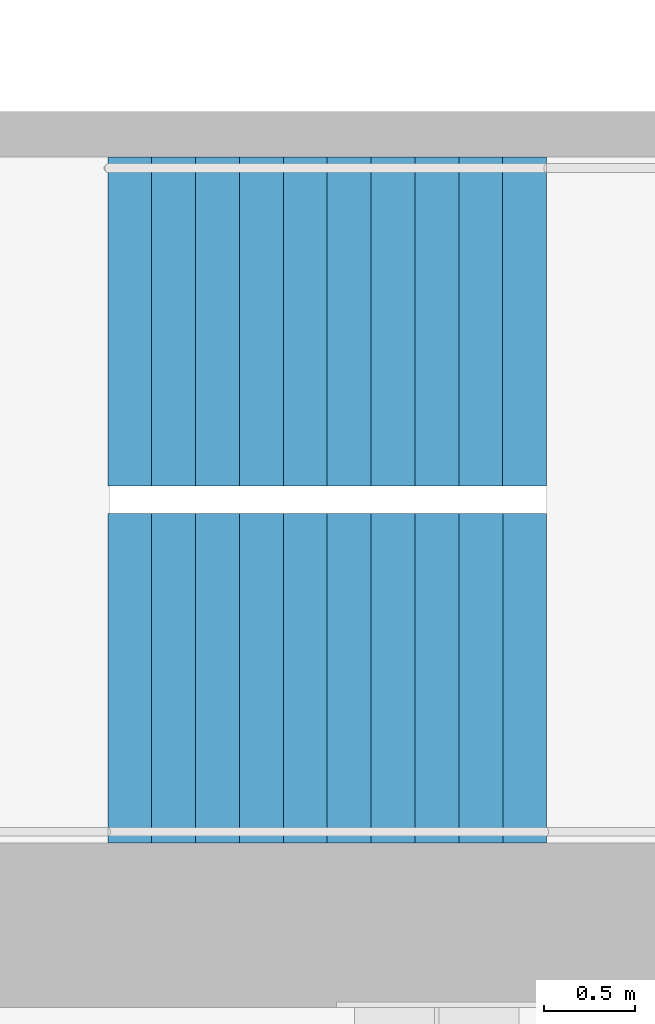
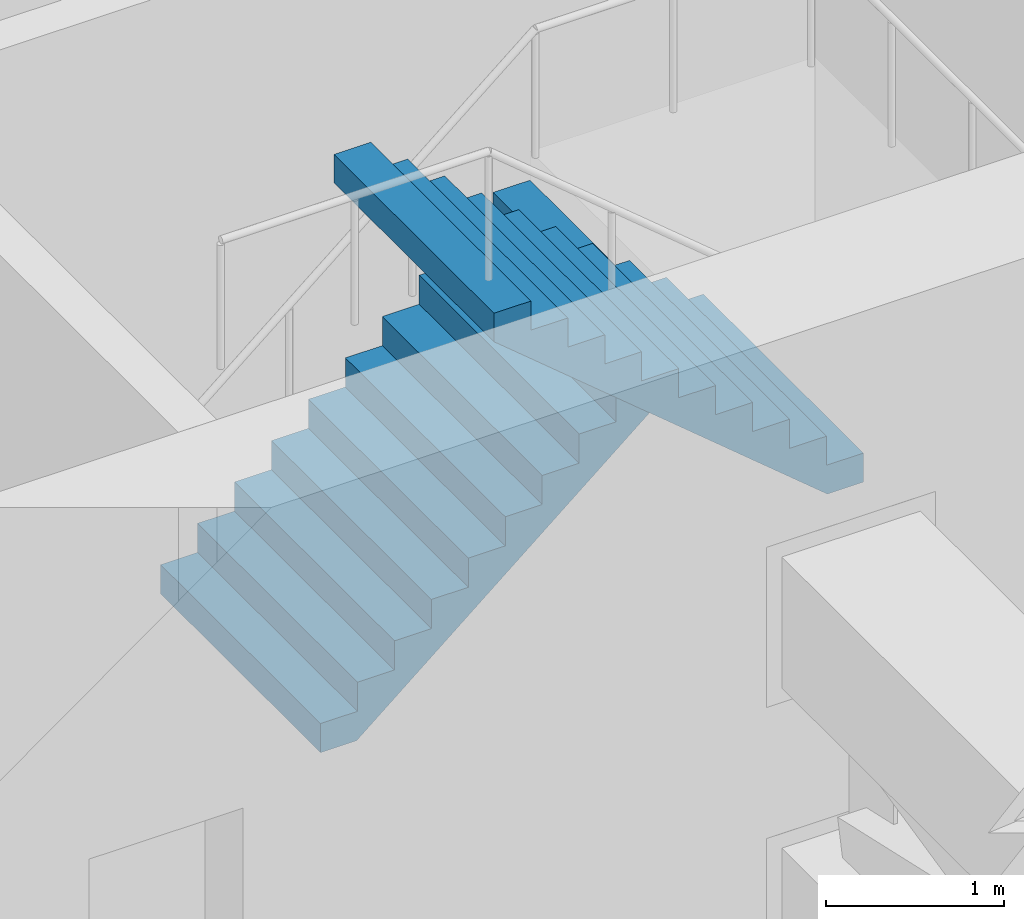
# One storey, part 30 of 33: 2 stair flights, 1 element without a shape of its own.
"""IFC4 building model written with IfcOpenShell, lengths in metres."""

from ifc_helpers import new_model, si_unit, direction, frame, origin, place, context, subcontext, project, spatial, triangles, material, type_object, element, aggregate, save


model = new_model("IFC4")

# Units and contexts
model_context = context("Model", 3, precision=1e-05, world=origin(), true_north=direction((0.0, 1.0)))
body_context = subcontext(model_context, "Body", "Model", "MODEL_VIEW")
ifc_project = project(units=[si_unit("LENGTHUNIT", "METRE"), si_unit("AREAUNIT", "SQUARE_METRE"), si_unit("VOLUMEUNIT", "CUBIC_METRE"), si_unit("PLANEANGLEUNIT", "RADIAN"), si_unit("MASSUNIT", "GRAM", prefix="KILO")], contexts=[model_context])

# Site, building, storey
site_placement = place(None, origin())
site = spatial("IfcSite", under=ifc_project, at=site_placement, CompositionType="ELEMENT")
building_placement = place(site_placement, origin())
building = spatial("IfcBuilding", under=site, at=building_placement, Name="Hakoniwa Tower and Hamabe Station Hall", CompositionType="ELEMENT")
storey_placement = place(building_placement, frame((0.0, 0.0, 228.199951171875)))
storey = spatial("IfcBuildingStorey", under=building, at=storey_placement, Name="L65", CompositionType="ELEMENT", Elevation=228.199951171875)

# Stair, stair flights
ifc_material_1 = material(Name="Concrete C40", Category="concrete")
stair_type = type_object("IfcStairType", Name="ESCAPE STAIR 1800", PredefinedType="HALF_TURN_STAIR", material=ifc_material_1)
stair_placement = place(storey_placement, origin())
stair = element("IfcStair", 1, at=stair_placement, inside=storey, type_object=stair_type, Name="Escape stair ST-4 L65", PredefinedType="HALF_TURN_STAIR")
ifc_material_2 = material(Name="Concrete C40", Category="concrete")
stair_flight_type = type_object("IfcStairFlightType", Name="STAIR FLIGHT 1800", PredefinedType="STRAIGHT", material=ifc_material_2)
stair_flight_1_placement = place(storey_placement, frame((23.39990234375, -4.64990234375, 0.0), z_axis=(0.0, 0.0, 1.0), x_axis=(1.0, 0.0, 0.0)))
stair_flight_1 = element("IfcStairFlight", 2, at=stair_flight_1_placement, type_object=stair_flight_type, Name="ST-4 flight 1", NumberOfRisers=11, NumberOfTreads=10, PredefinedType="STRAIGHT", RiserHeight=0.2, TreadLength=0.24, context=body_context, shape_type="Tessellation", body=[
    triangles([(0.0, 0.89990234375, 0.0), (0.234130859375, 0.89990234375, 0.0), (0.239990234375, 0.89990234375, 0.0048828125), (0.47998046875, 0.89990234375, 0.204833984375), (0.719970703125, 0.89990234375, 0.40478515625), (0.9599609375, 0.89990234375, 0.60498046875), (1.199951171875, 0.89990234375, 0.804931640625), (1.43994140625, 0.89990234375, 1.0048828125), (1.679931640625, 0.89990234375, 1.204833984375), (1.919921875, 0.89990234375, 1.40478515625), (2.159912109375, 0.89990234375, 1.60498046875), (2.39990234375, 0.89990234375, 1.804931640625), (2.39990234375, 0.89990234375, 2.0), (2.159912109375, 0.89990234375, 2.0), (2.159912109375, 0.89990234375, 1.800048828125), (1.919921875, 0.89990234375, 1.800048828125), (1.919921875, 0.89990234375, 1.60009765625), (1.679931640625, 0.89990234375, 1.60009765625), (1.679931640625, 0.89990234375, 1.39990234375), (1.43994140625, 0.89990234375, 1.39990234375), (1.43994140625, 0.89990234375, 1.199951171875), (1.199951171875, 0.89990234375, 1.199951171875), (1.199951171875, 0.89990234375, 1.0), (0.9599609375, 0.89990234375, 1.0), (0.9599609375, 0.89990234375, 0.800048828125), (0.719970703125, 0.89990234375, 0.800048828125), (0.719970703125, 0.89990234375, 0.60009765625), (0.47998046875, 0.89990234375, 0.60009765625), (0.47998046875, 0.89990234375, 0.39990234375), (0.239990234375, 0.89990234375, 0.39990234375), (0.239990234375, 0.89990234375, 0.199951171875), (0.234130859375, 0.89990234375, 0.199951171875), (0.0, 0.89990234375, 0.199951171875), (0.0, 0.06005859375, 0.0), (0.234130859375, 0.06005859375, 0.0), (0.239990234375, 0.06005859375, 0.0048828125), (0.47998046875, 0.06005859375, 0.204833984375), (0.719970703125, 0.06005859375, 0.40478515625), (0.9599609375, 0.06005859375, 0.60498046875), (1.199951171875, 0.06005859375, 0.804931640625), (1.43994140625, 0.06005859375, 1.0048828125), (1.679931640625, 0.06005859375, 1.204833984375), (1.919921875, 0.06005859375, 1.40478515625), (2.159912109375, 0.06005859375, 1.60498046875), (2.39990234375, 0.06005859375, 1.804931640625), (2.39990234375, 0.06005859375, 2.0), (2.159912109375, 0.06005859375, 2.0), (2.159912109375, 0.06005859375, 1.800048828125), (1.919921875, 0.06005859375, 1.800048828125), (1.919921875, 0.06005859375, 1.60009765625), (1.679931640625, 0.06005859375, 1.60009765625), (1.679931640625, 0.06005859375, 1.39990234375), (1.43994140625, 0.06005859375, 1.39990234375), (1.43994140625, 0.06005859375, 1.199951171875), (1.199951171875, 0.06005859375, 1.199951171875), (1.199951171875, 0.06005859375, 1.0), (0.9599609375, 0.06005859375, 1.0), (0.9599609375, 0.06005859375, 0.800048828125), (0.719970703125, 0.06005859375, 0.800048828125), (0.719970703125, 0.06005859375, 0.60009765625), (0.47998046875, 0.06005859375, 0.60009765625), (0.47998046875, 0.06005859375, 0.39990234375), (0.239990234375, 0.06005859375, 0.39990234375), (0.239990234375, 0.06005859375, 0.199951171875), (0.234130859375, 0.06005859375, 0.199951171875), (0.0, 0.06005859375, 0.199951171875), (0.0, 0.02001953125, 0.0), (0.234130859375, 0.02001953125, 0.0), (0.239990234375, 0.02001953125, 0.0048828125), (0.47998046875, 0.02001953125, 0.204833984375), (0.719970703125, 0.02001953125, 0.40478515625), (0.9599609375, 0.02001953125, 0.60498046875), (1.199951171875, 0.02001953125, 0.804931640625), (1.43994140625, 0.02001953125, 1.0048828125), (1.679931640625, 0.02001953125, 1.204833984375), (1.919921875, 0.02001953125, 1.40478515625), (2.159912109375, 0.02001953125, 1.60498046875), (2.39990234375, 0.02001953125, 1.804931640625), (2.39990234375, 0.02001953125, 2.0), (2.159912109375, 0.02001953125, 2.0), (2.159912109375, 0.02001953125, 1.800048828125), (1.919921875, 0.02001953125, 1.800048828125), (1.919921875, 0.02001953125, 1.60009765625), (1.679931640625, 0.02001953125, 1.60009765625), (1.679931640625, 0.02001953125, 1.39990234375), (1.43994140625, 0.02001953125, 1.39990234375), (1.43994140625, 0.02001953125, 1.199951171875), (1.199951171875, 0.02001953125, 1.199951171875), (1.199951171875, 0.02001953125, 1.0), (0.9599609375, 0.02001953125, 1.0), (0.9599609375, 0.02001953125, 0.800048828125), (0.719970703125, 0.02001953125, 0.800048828125), (0.719970703125, 0.02001953125, 0.60009765625), (0.47998046875, 0.02001953125, 0.60009765625), (0.47998046875, 0.02001953125, 0.39990234375), (0.239990234375, 0.02001953125, 0.39990234375), (0.239990234375, 0.02001953125, 0.199951171875), (0.234130859375, 0.02001953125, 0.199951171875), (0.0, 0.02001953125, 0.199951171875), (0.0, -0.02001953125, 0.0), (0.234130859375, -0.02001953125, 0.0), (0.239990234375, -0.02001953125, 0.0048828125), (0.47998046875, -0.02001953125, 0.204833984375), (0.719970703125, -0.02001953125, 0.40478515625), (0.9599609375, -0.02001953125, 0.60498046875), (1.199951171875, -0.02001953125, 0.804931640625), (1.43994140625, -0.02001953125, 1.0048828125), (1.679931640625, -0.02001953125, 1.204833984375), (1.919921875, -0.02001953125, 1.40478515625), (2.159912109375, -0.02001953125, 1.60498046875), (2.39990234375, -0.02001953125, 1.804931640625), (2.39990234375, -0.02001953125, 2.0), (2.159912109375, -0.02001953125, 2.0), (2.159912109375, -0.02001953125, 1.800048828125), (1.919921875, -0.02001953125, 1.800048828125), (1.919921875, -0.02001953125, 1.60009765625), (1.679931640625, -0.02001953125, 1.60009765625), (1.679931640625, -0.02001953125, 1.39990234375), (1.43994140625, -0.02001953125, 1.39990234375), (1.43994140625, -0.02001953125, 1.199951171875), (1.199951171875, -0.02001953125, 1.199951171875), (1.199951171875, -0.02001953125, 1.0), (0.9599609375, -0.02001953125, 1.0), (0.9599609375, -0.02001953125, 0.800048828125), (0.719970703125, -0.02001953125, 0.800048828125), (0.719970703125, -0.02001953125, 0.60009765625), (0.47998046875, -0.02001953125, 0.60009765625), (0.47998046875, -0.02001953125, 0.39990234375), (0.239990234375, -0.02001953125, 0.39990234375), (0.239990234375, -0.02001953125, 0.199951171875), (0.234130859375, -0.02001953125, 0.199951171875), (0.0, -0.02001953125, 0.199951171875), (0.0, -0.06005859375, 0.0), (0.234130859375, -0.06005859375, 0.0), (0.239990234375, -0.06005859375, 0.0048828125), (0.47998046875, -0.06005859375, 0.204833984375), (0.719970703125, -0.06005859375, 0.40478515625), (0.9599609375, -0.06005859375, 0.60498046875), (1.199951171875, -0.06005859375, 0.804931640625), (1.43994140625, -0.06005859375, 1.0048828125), (1.679931640625, -0.06005859375, 1.204833984375), (1.919921875, -0.06005859375, 1.40478515625), (2.159912109375, -0.06005859375, 1.60498046875), (2.39990234375, -0.06005859375, 1.804931640625), (2.39990234375, -0.06005859375, 2.0), (2.159912109375, -0.06005859375, 2.0), (2.159912109375, -0.06005859375, 1.800048828125), (1.919921875, -0.06005859375, 1.800048828125), (1.919921875, -0.06005859375, 1.60009765625), (1.679931640625, -0.06005859375, 1.60009765625), (1.679931640625, -0.06005859375, 1.39990234375), (1.43994140625, -0.06005859375, 1.39990234375), (1.43994140625, -0.06005859375, 1.199951171875), (1.199951171875, -0.06005859375, 1.199951171875), (1.199951171875, -0.06005859375, 1.0), (0.9599609375, -0.06005859375, 1.0), (0.9599609375, -0.06005859375, 0.800048828125), (0.719970703125, -0.06005859375, 0.800048828125), (0.719970703125, -0.06005859375, 0.60009765625), (0.47998046875, -0.06005859375, 0.60009765625), (0.47998046875, -0.06005859375, 0.39990234375), (0.239990234375, -0.06005859375, 0.39990234375), (0.239990234375, -0.06005859375, 0.199951171875), (0.234130859375, -0.06005859375, 0.199951171875), (0.0, -0.06005859375, 0.199951171875), (0.0, -0.89990234375, 0.0), (0.234130859375, -0.89990234375, 0.0), (0.239990234375, -0.89990234375, 0.0048828125), (0.47998046875, -0.89990234375, 0.204833984375), (0.719970703125, -0.89990234375, 0.40478515625), (0.9599609375, -0.89990234375, 0.60498046875), (1.199951171875, -0.89990234375, 0.804931640625), (1.43994140625, -0.89990234375, 1.0048828125), (1.679931640625, -0.89990234375, 1.204833984375), (1.919921875, -0.89990234375, 1.40478515625), (2.159912109375, -0.89990234375, 1.60498046875), (2.39990234375, -0.89990234375, 1.804931640625), (2.39990234375, -0.89990234375, 2.0), (2.159912109375, -0.89990234375, 2.0), (2.159912109375, -0.89990234375, 1.800048828125), (1.919921875, -0.89990234375, 1.800048828125), (1.919921875, -0.89990234375, 1.60009765625), (1.679931640625, -0.89990234375, 1.60009765625), (1.679931640625, -0.89990234375, 1.39990234375), (1.43994140625, -0.89990234375, 1.39990234375), (1.43994140625, -0.89990234375, 1.199951171875), (1.199951171875, -0.89990234375, 1.199951171875), (1.199951171875, -0.89990234375, 1.0), (0.9599609375, -0.89990234375, 1.0), (0.9599609375, -0.89990234375, 0.800048828125), (0.719970703125, -0.89990234375, 0.800048828125), (0.719970703125, -0.89990234375, 0.60009765625), (0.47998046875, -0.89990234375, 0.60009765625), (0.47998046875, -0.89990234375, 0.39990234375), (0.239990234375, -0.89990234375, 0.39990234375), (0.239990234375, -0.89990234375, 0.199951171875), (0.234130859375, -0.89990234375, 0.199951171875), (0.0, -0.89990234375, 0.199951171875)], [[2, 33, 32], [167, 197, 198], [2, 1, 33], [167, 198, 166], [3, 32, 31], [168, 196, 197], [3, 2, 32], [168, 197, 167], [4, 30, 29], [169, 194, 195], [4, 31, 30], [169, 195, 196], [4, 3, 31], [169, 196, 168], [5, 28, 27], [170, 192, 193], [5, 29, 28], [170, 193, 194], [5, 4, 29], [170, 194, 169], [6, 26, 25], [171, 190, 191], [6, 27, 26], [171, 191, 192], [6, 5, 27], [171, 192, 170], [7, 24, 23], [172, 188, 189], [7, 25, 24], [172, 189, 190], [7, 6, 25], [172, 190, 171], [8, 22, 21], [173, 186, 187], [8, 23, 22], [173, 187, 188], [8, 7, 23], [173, 188, 172], [9, 20, 19], [174, 184, 185], [9, 21, 20], [174, 185, 186], [9, 8, 21], [174, 186, 173], [10, 18, 17], [175, 182, 183], [10, 19, 18], [175, 183, 184], [10, 9, 19], [175, 184, 174], [11, 16, 15], [176, 180, 181], [11, 17, 16], [176, 181, 182], [11, 10, 17], [176, 182, 175], [12, 14, 13], [177, 178, 179], [12, 15, 14], [177, 179, 180], [12, 11, 15], [177, 180, 176], [1, 2, 35], [1, 35, 34], [34, 35, 68], [34, 68, 67], [67, 68, 101], [67, 101, 100], [100, 101, 134], [100, 134, 133], [133, 134, 167], [133, 167, 166], [2, 3, 36], [2, 36, 35], [35, 36, 69], [35, 69, 68], [68, 69, 102], [68, 102, 101], [101, 102, 135], [101, 135, 134], [134, 135, 168], [134, 168, 167], [3, 4, 37], [3, 37, 36], [36, 37, 70], [36, 70, 69], [69, 70, 103], [69, 103, 102], [102, 103, 136], [102, 136, 135], [135, 136, 169], [135, 169, 168], [4, 5, 38], [4, 38, 37], [37, 38, 71], [37, 71, 70], [70, 71, 104], [70, 104, 103], [103, 104, 137], [103, 137, 136], [136, 137, 170], [136, 170, 169], [5, 6, 39], [5, 39, 38], [38, 39, 72], [38, 72, 71], [71, 72, 105], [71, 105, 104], [104, 105, 138], [104, 138, 137], [137, 138, 171], [137, 171, 170], [6, 7, 40], [6, 40, 39], [39, 40, 73], [39, 73, 72], [72, 73, 106], [72, 106, 105], [105, 106, 139], [105, 139, 138], [138, 139, 172], [138, 172, 171], [7, 8, 41], [7, 41, 40], [40, 41, 74], [40, 74, 73], [73, 74, 107], [73, 107, 106], [106, 107, 140], [106, 140, 139], [139, 140, 173], [139, 173, 172], [8, 9, 42], [8, 42, 41], [41, 42, 75], [41, 75, 74], [74, 75, 108], [74, 108, 107], [107, 108, 141], [107, 141, 140], [140, 141, 174], [140, 174, 173], [9, 10, 43], [9, 43, 42], [42, 43, 76], [42, 76, 75], [75, 76, 109], [75, 109, 108], [108, 109, 142], [108, 142, 141], [141, 142, 175], [141, 175, 174], [10, 11, 44], [10, 44, 43], [43, 44, 77], [43, 77, 76], [76, 77, 110], [76, 110, 109], [109, 110, 143], [109, 143, 142], [142, 143, 176], [142, 176, 175], [11, 12, 45], [11, 45, 44], [44, 45, 78], [44, 78, 77], [77, 78, 111], [77, 111, 110], [110, 111, 144], [110, 144, 143], [143, 144, 177], [143, 177, 176], [12, 13, 46], [12, 46, 45], [45, 46, 79], [45, 79, 78], [78, 79, 112], [78, 112, 111], [111, 112, 145], [111, 145, 144], [144, 145, 178], [144, 178, 177], [13, 14, 47], [13, 47, 46], [46, 47, 80], [46, 80, 79], [79, 80, 113], [79, 113, 112], [112, 113, 146], [112, 146, 145], [145, 146, 179], [145, 179, 178], [14, 15, 48], [14, 48, 47], [47, 48, 81], [47, 81, 80], [80, 81, 114], [80, 114, 113], [113, 114, 147], [113, 147, 146], [146, 147, 180], [146, 180, 179], [15, 16, 49], [15, 49, 48], [48, 49, 82], [48, 82, 81], [81, 82, 115], [81, 115, 114], [114, 115, 148], [114, 148, 147], [147, 148, 181], [147, 181, 180], [16, 17, 50], [16, 50, 49], [49, 50, 83], [49, 83, 82], [82, 83, 116], [82, 116, 115], [115, 116, 149], [115, 149, 148], [148, 149, 182], [148, 182, 181], [17, 18, 51], [17, 51, 50], [50, 51, 84], [50, 84, 83], [83, 84, 117], [83, 117, 116], [116, 117, 150], [116, 150, 149], [149, 150, 183], [149, 183, 182], [18, 19, 52], [18, 52, 51], [51, 52, 85], [51, 85, 84], [84, 85, 118], [84, 118, 117], [117, 118, 151], [117, 151, 150], [150, 151, 184], [150, 184, 183], [19, 20, 53], [19, 53, 52], [52, 53, 86], [52, 86, 85], [85, 86, 119], [85, 119, 118], [118, 119, 152], [118, 152, 151], [151, 152, 185], [151, 185, 184], [20, 21, 54], [20, 54, 53], [53, 54, 87], [53, 87, 86], [86, 87, 120], [86, 120, 119], [119, 120, 153], [119, 153, 152], [152, 153, 186], [152, 186, 185], [21, 22, 55], [21, 55, 54], [54, 55, 88], [54, 88, 87], [87, 88, 121], [87, 121, 120], [120, 121, 154], [120, 154, 153], [153, 154, 187], [153, 187, 186], [22, 23, 56], [22, 56, 55], [55, 56, 89], [55, 89, 88], [88, 89, 122], [88, 122, 121], [121, 122, 155], [121, 155, 154], [154, 155, 188], [154, 188, 187], [23, 24, 57], [23, 57, 56], [56, 57, 90], [56, 90, 89], [89, 90, 123], [89, 123, 122], [122, 123, 156], [122, 156, 155], [155, 156, 189], [155, 189, 188], [24, 25, 58], [24, 58, 57], [57, 58, 91], [57, 91, 90], [90, 91, 124], [90, 124, 123], [123, 124, 157], [123, 157, 156], [156, 157, 190], [156, 190, 189], [25, 26, 59], [25, 59, 58], [58, 59, 92], [58, 92, 91], [91, 92, 125], [91, 125, 124], [124, 125, 158], [124, 158, 157], [157, 158, 191], [157, 191, 190], [26, 27, 60], [26, 60, 59], [59, 60, 93], [59, 93, 92], [92, 93, 126], [92, 126, 125], [125, 126, 159], [125, 159, 158], [158, 159, 192], [158, 192, 191], [27, 28, 61], [27, 61, 60], [60, 61, 94], [60, 94, 93], [93, 94, 127], [93, 127, 126], [126, 127, 160], [126, 160, 159], [159, 160, 193], [159, 193, 192], [28, 29, 62], [28, 62, 61], [61, 62, 95], [61, 95, 94], [94, 95, 128], [94, 128, 127], [127, 128, 161], [127, 161, 160], [160, 161, 194], [160, 194, 193], [29, 30, 63], [29, 63, 62], [62, 63, 96], [62, 96, 95], [95, 96, 129], [95, 129, 128], [128, 129, 162], [128, 162, 161], [161, 162, 195], [161, 195, 194], [30, 31, 64], [30, 64, 63], [63, 64, 97], [63, 97, 96], [96, 97, 130], [96, 130, 129], [129, 130, 163], [129, 163, 162], [162, 163, 196], [162, 196, 195], [31, 32, 65], [31, 65, 64], [64, 65, 98], [64, 98, 97], [97, 98, 131], [97, 131, 130], [130, 131, 164], [130, 164, 163], [163, 164, 197], [163, 197, 196], [32, 33, 66], [32, 66, 65], [65, 66, 99], [65, 99, 98], [98, 99, 132], [98, 132, 131], [131, 132, 165], [131, 165, 164], [164, 165, 198], [164, 198, 197], [33, 1, 34], [33, 34, 66], [66, 34, 67], [66, 67, 99], [99, 67, 100], [99, 100, 132], [132, 100, 133], [132, 133, 165], [165, 133, 166], [165, 166, 198]], closed=True),
])
stair_flight_2_placement = place(storey_placement, frame((25.800048828125, -6.60009765625, 2.199951171875), z_axis=(0.0, 0.0, 1.0), x_axis=(-1.0, 0.0, 0.0)))
stair_flight_2 = element("IfcStairFlight", 3, at=stair_flight_2_placement, type_object=stair_flight_type, Name="ST-4 flight 2", NumberOfRisers=11, NumberOfTreads=10, PredefinedType="STRAIGHT", RiserHeight=0.2, TreadLength=0.24, context=body_context, shape_type="Tessellation", body=[
    triangles([(0.0, 0.89990234375, 0.0), (0.234130859375, 0.89990234375, 0.0), (0.239990234375, 0.89990234375, 0.0048828125), (0.47998046875, 0.89990234375, 0.204833984375), (0.719970703125, 0.89990234375, 0.40478515625), (0.9599609375, 0.89990234375, 0.60498046875), (1.199951171875, 0.89990234375, 0.804931640625), (1.43994140625, 0.89990234375, 1.0048828125), (1.679931640625, 0.89990234375, 1.204833984375), (1.919921875, 0.89990234375, 1.40478515625), (2.159912109375, 0.89990234375, 1.60498046875), (2.39990234375, 0.89990234375, 1.804931640625), (2.39990234375, 0.89990234375, 2.0), (2.159912109375, 0.89990234375, 2.0), (2.159912109375, 0.89990234375, 1.800048828125), (1.919921875, 0.89990234375, 1.800048828125), (1.919921875, 0.89990234375, 1.60009765625), (1.679931640625, 0.89990234375, 1.60009765625), (1.679931640625, 0.89990234375, 1.39990234375), (1.43994140625, 0.89990234375, 1.39990234375), (1.43994140625, 0.89990234375, 1.199951171875), (1.199951171875, 0.89990234375, 1.199951171875), (1.199951171875, 0.89990234375, 1.0), (0.9599609375, 0.89990234375, 1.0), (0.9599609375, 0.89990234375, 0.800048828125), (0.719970703125, 0.89990234375, 0.800048828125), (0.719970703125, 0.89990234375, 0.60009765625), (0.47998046875, 0.89990234375, 0.60009765625), (0.47998046875, 0.89990234375, 0.39990234375), (0.239990234375, 0.89990234375, 0.39990234375), (0.239990234375, 0.89990234375, 0.199951171875), (0.234130859375, 0.89990234375, 0.199951171875), (0.0, 0.89990234375, 0.199951171875), (0.0, 0.06005859375, 0.0), (0.234130859375, 0.06005859375, 0.0), (0.239990234375, 0.06005859375, 0.0048828125), (0.47998046875, 0.06005859375, 0.204833984375), (0.719970703125, 0.06005859375, 0.40478515625), (0.9599609375, 0.06005859375, 0.60498046875), (1.199951171875, 0.06005859375, 0.804931640625), (1.43994140625, 0.06005859375, 1.0048828125), (1.679931640625, 0.06005859375, 1.204833984375), (1.919921875, 0.06005859375, 1.40478515625), (2.159912109375, 0.06005859375, 1.60498046875), (2.39990234375, 0.06005859375, 1.804931640625), (2.39990234375, 0.06005859375, 2.0), (2.159912109375, 0.06005859375, 2.0), (2.159912109375, 0.06005859375, 1.800048828125), (1.919921875, 0.06005859375, 1.800048828125), (1.919921875, 0.06005859375, 1.60009765625), (1.679931640625, 0.06005859375, 1.60009765625), (1.679931640625, 0.06005859375, 1.39990234375), (1.43994140625, 0.06005859375, 1.39990234375), (1.43994140625, 0.06005859375, 1.199951171875), (1.199951171875, 0.06005859375, 1.199951171875), (1.199951171875, 0.06005859375, 1.0), (0.9599609375, 0.06005859375, 1.0), (0.9599609375, 0.06005859375, 0.800048828125), (0.719970703125, 0.06005859375, 0.800048828125), (0.719970703125, 0.06005859375, 0.60009765625), (0.47998046875, 0.06005859375, 0.60009765625), (0.47998046875, 0.06005859375, 0.39990234375), (0.239990234375, 0.06005859375, 0.39990234375), (0.239990234375, 0.06005859375, 0.199951171875), (0.234130859375, 0.06005859375, 0.199951171875), (0.0, 0.06005859375, 0.199951171875), (0.0, 0.02001953125, 0.0), (0.234130859375, 0.02001953125, 0.0), (0.239990234375, 0.02001953125, 0.0048828125), (0.47998046875, 0.02001953125, 0.204833984375), (0.719970703125, 0.02001953125, 0.40478515625), (0.9599609375, 0.02001953125, 0.60498046875), (1.199951171875, 0.02001953125, 0.804931640625), (1.43994140625, 0.02001953125, 1.0048828125), (1.679931640625, 0.02001953125, 1.204833984375), (1.919921875, 0.02001953125, 1.40478515625), (2.159912109375, 0.02001953125, 1.60498046875), (2.39990234375, 0.02001953125, 1.804931640625), (2.39990234375, 0.02001953125, 2.0), (2.159912109375, 0.02001953125, 2.0), (2.159912109375, 0.02001953125, 1.800048828125), (1.919921875, 0.02001953125, 1.800048828125), (1.919921875, 0.02001953125, 1.60009765625), (1.679931640625, 0.02001953125, 1.60009765625), (1.679931640625, 0.02001953125, 1.39990234375), (1.43994140625, 0.02001953125, 1.39990234375), (1.43994140625, 0.02001953125, 1.199951171875), (1.199951171875, 0.02001953125, 1.199951171875), (1.199951171875, 0.02001953125, 1.0), (0.9599609375, 0.02001953125, 1.0), (0.9599609375, 0.02001953125, 0.800048828125), (0.719970703125, 0.02001953125, 0.800048828125), (0.719970703125, 0.02001953125, 0.60009765625), (0.47998046875, 0.02001953125, 0.60009765625), (0.47998046875, 0.02001953125, 0.39990234375), (0.239990234375, 0.02001953125, 0.39990234375), (0.239990234375, 0.02001953125, 0.199951171875), (0.234130859375, 0.02001953125, 0.199951171875), (0.0, 0.02001953125, 0.199951171875), (0.0, -0.02001953125, 0.0), (0.234130859375, -0.02001953125, 0.0), (0.239990234375, -0.02001953125, 0.0048828125), (0.47998046875, -0.02001953125, 0.204833984375), (0.719970703125, -0.02001953125, 0.40478515625), (0.9599609375, -0.02001953125, 0.60498046875), (1.199951171875, -0.02001953125, 0.804931640625), (1.43994140625, -0.02001953125, 1.0048828125), (1.679931640625, -0.02001953125, 1.204833984375), (1.919921875, -0.02001953125, 1.40478515625), (2.159912109375, -0.02001953125, 1.60498046875), (2.39990234375, -0.02001953125, 1.804931640625), (2.39990234375, -0.02001953125, 2.0), (2.159912109375, -0.02001953125, 2.0), (2.159912109375, -0.02001953125, 1.800048828125), (1.919921875, -0.02001953125, 1.800048828125), (1.919921875, -0.02001953125, 1.60009765625), (1.679931640625, -0.02001953125, 1.60009765625), (1.679931640625, -0.02001953125, 1.39990234375), (1.43994140625, -0.02001953125, 1.39990234375), (1.43994140625, -0.02001953125, 1.199951171875), (1.199951171875, -0.02001953125, 1.199951171875), (1.199951171875, -0.02001953125, 1.0), (0.9599609375, -0.02001953125, 1.0), (0.9599609375, -0.02001953125, 0.800048828125), (0.719970703125, -0.02001953125, 0.800048828125), (0.719970703125, -0.02001953125, 0.60009765625), (0.47998046875, -0.02001953125, 0.60009765625), (0.47998046875, -0.02001953125, 0.39990234375), (0.239990234375, -0.02001953125, 0.39990234375), (0.239990234375, -0.02001953125, 0.199951171875), (0.234130859375, -0.02001953125, 0.199951171875), (0.0, -0.02001953125, 0.199951171875), (0.0, -0.06005859375, 0.0), (0.234130859375, -0.06005859375, 0.0), (0.239990234375, -0.06005859375, 0.0048828125), (0.47998046875, -0.06005859375, 0.204833984375), (0.719970703125, -0.06005859375, 0.40478515625), (0.9599609375, -0.06005859375, 0.60498046875), (1.199951171875, -0.06005859375, 0.804931640625), (1.43994140625, -0.06005859375, 1.0048828125), (1.679931640625, -0.06005859375, 1.204833984375), (1.919921875, -0.06005859375, 1.40478515625), (2.159912109375, -0.06005859375, 1.60498046875), (2.39990234375, -0.06005859375, 1.804931640625), (2.39990234375, -0.06005859375, 2.0), (2.159912109375, -0.06005859375, 2.0), (2.159912109375, -0.06005859375, 1.800048828125), (1.919921875, -0.06005859375, 1.800048828125), (1.919921875, -0.06005859375, 1.60009765625), (1.679931640625, -0.06005859375, 1.60009765625), (1.679931640625, -0.06005859375, 1.39990234375), (1.43994140625, -0.06005859375, 1.39990234375), (1.43994140625, -0.06005859375, 1.199951171875), (1.199951171875, -0.06005859375, 1.199951171875), (1.199951171875, -0.06005859375, 1.0), (0.9599609375, -0.06005859375, 1.0), (0.9599609375, -0.06005859375, 0.800048828125), (0.719970703125, -0.06005859375, 0.800048828125), (0.719970703125, -0.06005859375, 0.60009765625), (0.47998046875, -0.06005859375, 0.60009765625), (0.47998046875, -0.06005859375, 0.39990234375), (0.239990234375, -0.06005859375, 0.39990234375), (0.239990234375, -0.06005859375, 0.199951171875), (0.234130859375, -0.06005859375, 0.199951171875), (0.0, -0.06005859375, 0.199951171875), (0.0, -0.89990234375, 0.0), (0.234130859375, -0.89990234375, 0.0), (0.239990234375, -0.89990234375, 0.0048828125), (0.47998046875, -0.89990234375, 0.204833984375), (0.719970703125, -0.89990234375, 0.40478515625), (0.9599609375, -0.89990234375, 0.60498046875), (1.199951171875, -0.89990234375, 0.804931640625), (1.43994140625, -0.89990234375, 1.0048828125), (1.679931640625, -0.89990234375, 1.204833984375), (1.919921875, -0.89990234375, 1.40478515625), (2.159912109375, -0.89990234375, 1.60498046875), (2.39990234375, -0.89990234375, 1.804931640625), (2.39990234375, -0.89990234375, 2.0), (2.159912109375, -0.89990234375, 2.0), (2.159912109375, -0.89990234375, 1.800048828125), (1.919921875, -0.89990234375, 1.800048828125), (1.919921875, -0.89990234375, 1.60009765625), (1.679931640625, -0.89990234375, 1.60009765625), (1.679931640625, -0.89990234375, 1.39990234375), (1.43994140625, -0.89990234375, 1.39990234375), (1.43994140625, -0.89990234375, 1.199951171875), (1.199951171875, -0.89990234375, 1.199951171875), (1.199951171875, -0.89990234375, 1.0), (0.9599609375, -0.89990234375, 1.0), (0.9599609375, -0.89990234375, 0.800048828125), (0.719970703125, -0.89990234375, 0.800048828125), (0.719970703125, -0.89990234375, 0.60009765625), (0.47998046875, -0.89990234375, 0.60009765625), (0.47998046875, -0.89990234375, 0.39990234375), (0.239990234375, -0.89990234375, 0.39990234375), (0.239990234375, -0.89990234375, 0.199951171875), (0.234130859375, -0.89990234375, 0.199951171875), (0.0, -0.89990234375, 0.199951171875)], [[2, 33, 32], [167, 197, 198], [2, 1, 33], [167, 198, 166], [3, 32, 31], [168, 196, 197], [3, 2, 32], [168, 197, 167], [4, 30, 29], [169, 194, 195], [4, 31, 30], [169, 195, 196], [4, 3, 31], [169, 196, 168], [5, 28, 27], [170, 192, 193], [5, 29, 28], [170, 193, 194], [5, 4, 29], [170, 194, 169], [6, 26, 25], [171, 190, 191], [6, 27, 26], [171, 191, 192], [6, 5, 27], [171, 192, 170], [7, 24, 23], [172, 188, 189], [7, 25, 24], [172, 189, 190], [7, 6, 25], [172, 190, 171], [8, 22, 21], [173, 186, 187], [8, 23, 22], [173, 187, 188], [8, 7, 23], [173, 188, 172], [9, 20, 19], [174, 184, 185], [9, 21, 20], [174, 185, 186], [9, 8, 21], [174, 186, 173], [10, 18, 17], [175, 182, 183], [10, 19, 18], [175, 183, 184], [10, 9, 19], [175, 184, 174], [11, 16, 15], [176, 180, 181], [11, 17, 16], [176, 181, 182], [11, 10, 17], [176, 182, 175], [12, 14, 13], [177, 178, 179], [12, 15, 14], [177, 179, 180], [12, 11, 15], [177, 180, 176], [1, 2, 35], [1, 35, 34], [34, 35, 68], [34, 68, 67], [67, 68, 101], [67, 101, 100], [100, 101, 134], [100, 134, 133], [133, 134, 167], [133, 167, 166], [2, 3, 36], [2, 36, 35], [35, 36, 69], [35, 69, 68], [68, 69, 102], [68, 102, 101], [101, 102, 135], [101, 135, 134], [134, 135, 168], [134, 168, 167], [3, 4, 37], [3, 37, 36], [36, 37, 70], [36, 70, 69], [69, 70, 103], [69, 103, 102], [102, 103, 136], [102, 136, 135], [135, 136, 169], [135, 169, 168], [4, 5, 38], [4, 38, 37], [37, 38, 71], [37, 71, 70], [70, 71, 104], [70, 104, 103], [103, 104, 137], [103, 137, 136], [136, 137, 170], [136, 170, 169], [5, 6, 39], [5, 39, 38], [38, 39, 72], [38, 72, 71], [71, 72, 105], [71, 105, 104], [104, 105, 138], [104, 138, 137], [137, 138, 171], [137, 171, 170], [6, 7, 40], [6, 40, 39], [39, 40, 73], [39, 73, 72], [72, 73, 106], [72, 106, 105], [105, 106, 139], [105, 139, 138], [138, 139, 172], [138, 172, 171], [7, 8, 41], [7, 41, 40], [40, 41, 74], [40, 74, 73], [73, 74, 107], [73, 107, 106], [106, 107, 140], [106, 140, 139], [139, 140, 173], [139, 173, 172], [8, 9, 42], [8, 42, 41], [41, 42, 75], [41, 75, 74], [74, 75, 108], [74, 108, 107], [107, 108, 141], [107, 141, 140], [140, 141, 174], [140, 174, 173], [9, 10, 43], [9, 43, 42], [42, 43, 76], [42, 76, 75], [75, 76, 109], [75, 109, 108], [108, 109, 142], [108, 142, 141], [141, 142, 175], [141, 175, 174], [10, 11, 44], [10, 44, 43], [43, 44, 77], [43, 77, 76], [76, 77, 110], [76, 110, 109], [109, 110, 143], [109, 143, 142], [142, 143, 176], [142, 176, 175], [11, 12, 45], [11, 45, 44], [44, 45, 78], [44, 78, 77], [77, 78, 111], [77, 111, 110], [110, 111, 144], [110, 144, 143], [143, 144, 177], [143, 177, 176], [12, 13, 46], [12, 46, 45], [45, 46, 79], [45, 79, 78], [78, 79, 112], [78, 112, 111], [111, 112, 145], [111, 145, 144], [144, 145, 178], [144, 178, 177], [13, 14, 47], [13, 47, 46], [46, 47, 80], [46, 80, 79], [79, 80, 113], [79, 113, 112], [112, 113, 146], [112, 146, 145], [145, 146, 179], [145, 179, 178], [14, 15, 48], [14, 48, 47], [47, 48, 81], [47, 81, 80], [80, 81, 114], [80, 114, 113], [113, 114, 147], [113, 147, 146], [146, 147, 180], [146, 180, 179], [15, 16, 49], [15, 49, 48], [48, 49, 82], [48, 82, 81], [81, 82, 115], [81, 115, 114], [114, 115, 148], [114, 148, 147], [147, 148, 181], [147, 181, 180], [16, 17, 50], [16, 50, 49], [49, 50, 83], [49, 83, 82], [82, 83, 116], [82, 116, 115], [115, 116, 149], [115, 149, 148], [148, 149, 182], [148, 182, 181], [17, 18, 51], [17, 51, 50], [50, 51, 84], [50, 84, 83], [83, 84, 117], [83, 117, 116], [116, 117, 150], [116, 150, 149], [149, 150, 183], [149, 183, 182], [18, 19, 52], [18, 52, 51], [51, 52, 85], [51, 85, 84], [84, 85, 118], [84, 118, 117], [117, 118, 151], [117, 151, 150], [150, 151, 184], [150, 184, 183], [19, 20, 53], [19, 53, 52], [52, 53, 86], [52, 86, 85], [85, 86, 119], [85, 119, 118], [118, 119, 152], [118, 152, 151], [151, 152, 185], [151, 185, 184], [20, 21, 54], [20, 54, 53], [53, 54, 87], [53, 87, 86], [86, 87, 120], [86, 120, 119], [119, 120, 153], [119, 153, 152], [152, 153, 186], [152, 186, 185], [21, 22, 55], [21, 55, 54], [54, 55, 88], [54, 88, 87], [87, 88, 121], [87, 121, 120], [120, 121, 154], [120, 154, 153], [153, 154, 187], [153, 187, 186], [22, 23, 56], [22, 56, 55], [55, 56, 89], [55, 89, 88], [88, 89, 122], [88, 122, 121], [121, 122, 155], [121, 155, 154], [154, 155, 188], [154, 188, 187], [23, 24, 57], [23, 57, 56], [56, 57, 90], [56, 90, 89], [89, 90, 123], [89, 123, 122], [122, 123, 156], [122, 156, 155], [155, 156, 189], [155, 189, 188], [24, 25, 58], [24, 58, 57], [57, 58, 91], [57, 91, 90], [90, 91, 124], [90, 124, 123], [123, 124, 157], [123, 157, 156], [156, 157, 190], [156, 190, 189], [25, 26, 59], [25, 59, 58], [58, 59, 92], [58, 92, 91], [91, 92, 125], [91, 125, 124], [124, 125, 158], [124, 158, 157], [157, 158, 191], [157, 191, 190], [26, 27, 60], [26, 60, 59], [59, 60, 93], [59, 93, 92], [92, 93, 126], [92, 126, 125], [125, 126, 159], [125, 159, 158], [158, 159, 192], [158, 192, 191], [27, 28, 61], [27, 61, 60], [60, 61, 94], [60, 94, 93], [93, 94, 127], [93, 127, 126], [126, 127, 160], [126, 160, 159], [159, 160, 193], [159, 193, 192], [28, 29, 62], [28, 62, 61], [61, 62, 95], [61, 95, 94], [94, 95, 128], [94, 128, 127], [127, 128, 161], [127, 161, 160], [160, 161, 194], [160, 194, 193], [29, 30, 63], [29, 63, 62], [62, 63, 96], [62, 96, 95], [95, 96, 129], [95, 129, 128], [128, 129, 162], [128, 162, 161], [161, 162, 195], [161, 195, 194], [30, 31, 64], [30, 64, 63], [63, 64, 97], [63, 97, 96], [96, 97, 130], [96, 130, 129], [129, 130, 163], [129, 163, 162], [162, 163, 196], [162, 196, 195], [31, 32, 65], [31, 65, 64], [64, 65, 98], [64, 98, 97], [97, 98, 131], [97, 131, 130], [130, 131, 164], [130, 164, 163], [163, 164, 197], [163, 197, 196], [32, 33, 66], [32, 66, 65], [65, 66, 99], [65, 99, 98], [98, 99, 132], [98, 132, 131], [131, 132, 165], [131, 165, 164], [164, 165, 198], [164, 198, 197], [33, 1, 34], [33, 34, 66], [66, 34, 67], [66, 67, 99], [99, 67, 100], [99, 100, 132], [132, 100, 133], [132, 133, 165], [165, 133, 166], [165, 166, 198]], closed=True),
])
aggregate(stair, [stair_flight_1, stair_flight_2])

save(model, "model.ifc")
